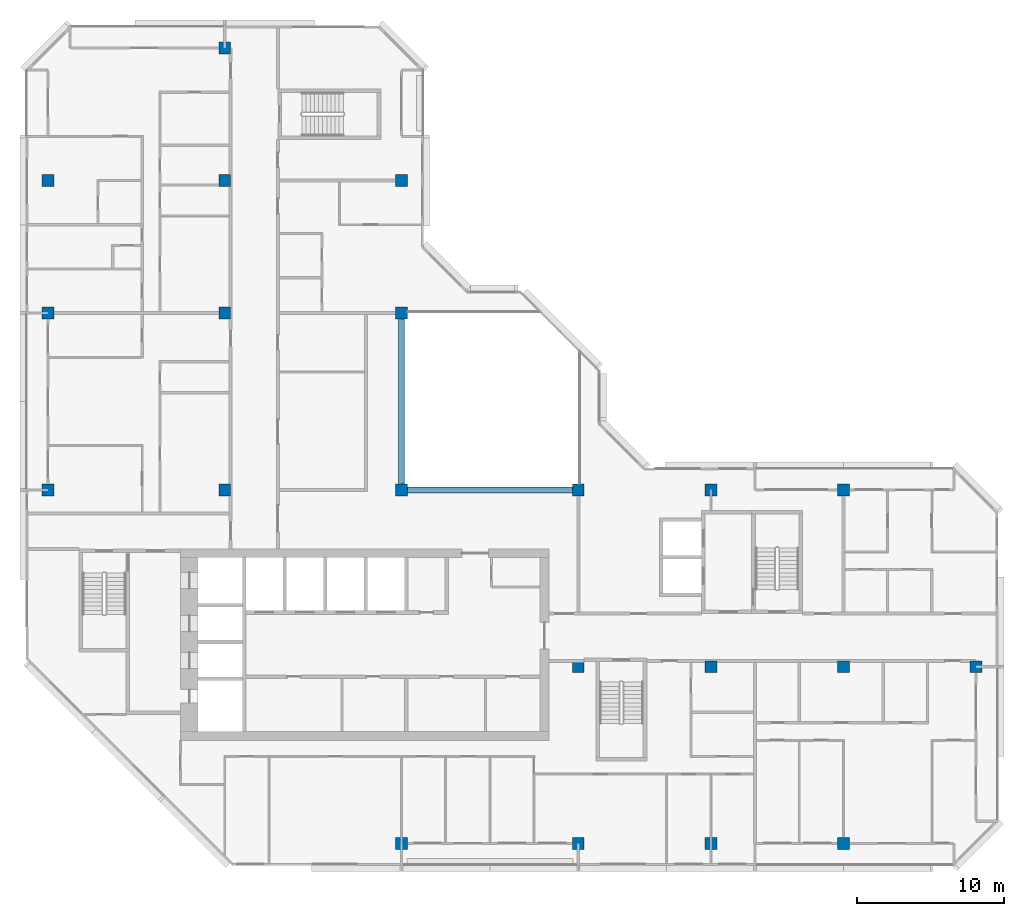
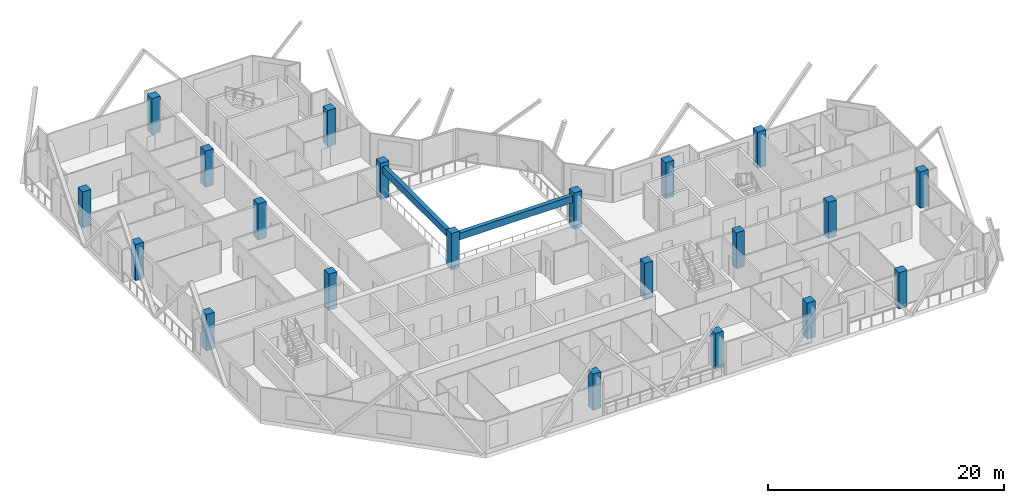
# One storey, part 1 of 13: 21 columns, 2 beams.
"""IFC4 building model written with IfcOpenShell, lengths in metres."""

import ifcopenshell
import ifcopenshell.guid

model = None  # the IFC model being written
_history = None  # IfcOwnerHistory: only IFC2X3 demands one
_inside = {}  # id of a spatial element -> (the spatial element, [elements in it])
_under = {}  # id of a project, library or spatial element -> (it, [spatial elements below it])
_declared = {}  # id of a project -> (the project, [libraries it declares])
_typed = {}  # id of a type object -> (the type object, [elements of that type])
_made_of = {}  # id of a material, layer set ... -> (it, [elements and type objects made of it])


def new_model(schema):
    """Start an empty IFC model of exactly this schema.

    Asked for "IFC4X3", IfcOpenShell would pick the latest addendum, in which some entities
    have other attributes; the version numbers below select the first issue.
    IFC2X3 requires an IfcOwnerHistory on every rooted entity: one is made here for all.
    """
    global model, _history
    if schema == "IFC4X3":
        model = ifcopenshell.file(schema_version=(4, 3, 0, 0))
    else:
        model = ifcopenshell.file(schema=schema)
    _inside.clear()
    _under.clear()
    _declared.clear()
    _typed.clear()
    _made_of.clear()
    _history = None
    if model.schema == "IFC2X3":
        org = make("IfcOrganization", Name="unknown")
        user = make(
            "IfcPersonAndOrganization",
            ThePerson=make("IfcPerson", FamilyName="unknown"),
            TheOrganization=org,
        )
        app = make(
            "IfcApplication",
            ApplicationDeveloper=org,
            Version="unknown",
            ApplicationFullName="unknown",
            ApplicationIdentifier="unknown",
        )
        _history = make(
            "IfcOwnerHistory",
            OwningUser=user,
            OwningApplication=app,
            ChangeAction="ADDED",
            CreationDate=0,
        )
    return model


def make(cls, **values):
    """One entity of the class cls with the attributes given. An attribute that is None is left unset."""
    return model.create_entity(
        cls, **{name: value for name, value in values.items() if value is not None}
    )


def rooted(cls, **values):
    """An entity with a GlobalId (a new one), such as an element, a storey or a relation."""
    return make(cls, GlobalId=ifcopenshell.guid.new(), OwnerHistory=_history, **values)


def si_unit(unit_type, name, prefix=None):
    """IfcSIUnit, for example si_unit("LENGTHUNIT", "METRE", prefix="MILLI")."""
    return make("IfcSIUnit", UnitType=unit_type, Prefix=prefix, Name=name)


def assignment(units):
    """IfcUnitAssignment: the units of a project."""
    return None if units is None else make("IfcUnitAssignment", Units=units)


def point(xyz):
    """IfcCartesianPoint."""
    return None if xyz is None else make("IfcCartesianPoint", Coordinates=xyz)


def direction(xyz):
    """IfcDirection."""
    return None if xyz is None else make("IfcDirection", DirectionRatios=xyz)


def frame(location, z_axis=None, x_axis=None):
    """IfcAxis2Placement3D, a coordinate frame: its origin and axes. An axis left out is left unset."""
    return make(
        "IfcAxis2Placement3D",
        Location=point(location),
        Axis=direction(z_axis),
        RefDirection=direction(x_axis),
    )


def frame_2d(location, x_axis=None):
    """IfcAxis2Placement2D, a coordinate frame in the plane: its origin and x axis."""
    return make(
        "IfcAxis2Placement2D", Location=point(location), RefDirection=direction(x_axis)
    )


def origin():
    """The frame at (0, 0, 0) with its axes left unset."""
    return frame((0.0, 0.0, 0.0))


def origin_2d():
    """The frame at (0, 0) in the plane with its x axis left unset."""
    return frame_2d((0.0, 0.0))


def place(relative_to, where):
    """IfcLocalPlacement: puts the frame where relative to a parent placement (None: the world)."""
    return make(
        "IfcLocalPlacement", PlacementRelTo=relative_to, RelativePlacement=where
    )


def context(
    kind, dimensions, precision=None, world=None, true_north=None, identifier=None
):
    """IfcGeometricRepresentationContext, for example the 3D "Model" context."""
    return make(
        "IfcGeometricRepresentationContext",
        ContextIdentifier=identifier,
        ContextType=kind,
        CoordinateSpaceDimension=dimensions,
        Precision=precision,
        WorldCoordinateSystem=world,
        TrueNorth=true_north,
    )


def subcontext(parent, identifier, kind, view, scale=None):
    """IfcGeometricRepresentationSubContext, for example "Body" below "Model"."""
    return make(
        "IfcGeometricRepresentationSubContext",
        ContextIdentifier=identifier,
        ContextType=kind,
        ParentContext=parent,
        TargetScale=scale,
        TargetView=view,
    )


def project(units=None, contexts=None):
    """IfcProject with its units and contexts."""
    return rooted(
        "IfcProject",
        Name="project",
        RepresentationContexts=contexts,
        UnitsInContext=assignment(units),
    )


def spatial(cls, under=None, at=None, **own):
    """A site, building, storey or space (cls), placed at a placement, below another one or the project."""
    s = rooted(cls, ObjectPlacement=at, **own)
    if under is not None:
        _under.setdefault(under.id(), (under, []))[1].append(s)
    return s


def profile(cls, at=None, kind="AREA", **sizes):
    """A parametric profile (cls). Its sizes go by their IFC names, for example OverallWidth=200.0."""
    return make(cls, ProfileType=kind, Position=at, **sizes)


def rectangle(**sizes):
    """IfcRectangleProfileDef."""
    return profile("IfcRectangleProfileDef", **sizes)


def extrude(swept, where, along, depth):
    """IfcExtrudedAreaSolid: the profile swept, set in the frame where, extruded along a direction by depth."""
    return make(
        "IfcExtrudedAreaSolid",
        SweptArea=swept,
        Position=where,
        ExtrudedDirection=direction(along),
        Depth=depth,
    )


def shape(context_of_items, identifier, shape_type, items):
    """IfcShapeRepresentation: the items that make up one representation, for example the "Body"."""
    return make(
        "IfcShapeRepresentation",
        ContextOfItems=context_of_items,
        RepresentationIdentifier=identifier,
        RepresentationType=shape_type,
        Items=items,
    )


def material(Name=None, Category=None):
    """IfcMaterial."""
    return make("IfcMaterial", Name=Name, Category=Category)


def material_profile(
    of_material, cross_section, Name=None, Category=None, Priority=None
):
    """IfcMaterialProfile: a cross section and its material."""
    return make(
        "IfcMaterialProfile",
        Name=Name,
        Material=of_material,
        Profile=cross_section,
        Priority=Priority,
        Category=Category,
    )


def profile_set(profiles, Name=None, composite=None):
    """IfcMaterialProfileSet."""
    return make(
        "IfcMaterialProfileSet",
        Name=Name,
        MaterialProfiles=profiles,
        CompositeProfile=composite,
    )


def made_of(thing, what):
    """Note that an element or type object is made of a material, layer set ...; save() writes the relation."""
    if what is not None:
        _made_of.setdefault(what.id(), (what, []))[1].append(thing)
    return thing


def type_object(cls, material=None, **own):
    """A type object (cls), such as IfcWallType, which elements share."""
    return made_of(rooted(cls, **own), material)


def element(
    cls,
    number,
    at=None,
    inside=None,
    cuts=None,
    type_object=None,
    material=None,
    context=None,
    identifier="Body",
    shape_type=None,
    held_by="IfcProductDefinitionShape",
    body=None,
    shapes=None,
    **own,
):
    """One element of the class cls, such as IfcWall. Its Tag is "e" and its number.

    at: its placement. inside: the storey or other place that contains it. cuts: it is an
    opening in that element (IfcRelVoidsElement). A single representation is given by context,
    identifier, shape_type and body (its items); several are given by shapes. held_by: the class
    of the entity that holds the representations. save() writes the other relations.
    """
    e = rooted(cls, Tag="e%d" % number, ObjectPlacement=at, **own)
    if body is not None:
        shapes = [shape(context, identifier, shape_type, body)]
    if shapes is not None:
        e.Representation = make(held_by, Representations=shapes)
    if inside is not None:
        _inside.setdefault(inside.id(), (inside, []))[1].append(e)
    if cuts is not None:
        rooted(
            "IfcRelVoidsElement", RelatingBuildingElement=cuts, RelatedOpeningElement=e
        )
    if type_object is not None:
        _typed.setdefault(type_object.id(), (type_object, []))[1].append(e)
    return made_of(e, material)


def aggregate(whole, parts):
    """IfcRelAggregates: a whole, such as a stair, and the parts it consists of."""
    return rooted("IfcRelAggregates", RelatingObject=whole, RelatedObjects=parts)


def save(model, path):
    """Write the relations noted so far, then the file.

    IfcRelAggregates (storeys below a building ...), IfcRelContainedInSpatialStructure (elements
    in a storey), IfcRelDefinesByType, IfcRelAssociatesMaterial and IfcRelDeclares: one each for
    every whole, place, type object, material and project.
    """
    for whole, parts in _under.values():
        aggregate(whole, parts)
    for where, things in _inside.values():
        rooted(
            "IfcRelContainedInSpatialStructure",
            RelatedElements=things,
            RelatingStructure=where,
        )
    for kind, things in _typed.values():
        rooted("IfcRelDefinesByType", RelatedObjects=things, RelatingType=kind)
    for what, things in _made_of.values():
        rooted("IfcRelAssociatesMaterial", RelatedObjects=things, RelatingMaterial=what)
    for by, libraries in _declared.values():
        rooted("IfcRelDeclares", RelatingContext=by, RelatedDefinitions=libraries)
    model.write(path)


model = new_model("IFC4")

# Units and contexts
model_context = context("Model", 3, precision=1e-05, world=origin(), true_north=direction((0.0, 1.0)))
body_context = subcontext(model_context, "Body", "Model", "MODEL_VIEW")
ifc_project = project(units=[si_unit("LENGTHUNIT", "METRE"), si_unit("AREAUNIT", "SQUARE_METRE"), si_unit("VOLUMEUNIT", "CUBIC_METRE"), si_unit("PLANEANGLEUNIT", "RADIAN"), si_unit("MASSUNIT", "GRAM", prefix="KILO")], contexts=[model_context])

# Site, building, storey
site_placement = place(None, origin())
site = spatial("IfcSite", under=ifc_project, at=site_placement, CompositionType="ELEMENT")
building_placement = place(site_placement, origin())
building = spatial("IfcBuilding", under=site, at=building_placement, Name="Chenar Terraces", CompositionType="ELEMENT")
storey_placement = place(building_placement, frame((0.0, 0.0, 288.39990234375)))
storey = spatial("IfcBuildingStorey", under=building, at=storey_placement, Name="L67", CompositionType="ELEMENT", Elevation=288.39990234375)

# Columns
ifc_material_1 = material(Name="Concrete C50/60", Category="concrete")
ifc_material_profile_1 = material_profile(ifc_material_1, rectangle(XDim=0.800048828125, YDim=0.800048828125, at=origin_2d()), Name="C 800 x 800")
ifc_profile_set_1 = profile_set([ifc_material_profile_1], Name="Concrete C50/60")
column_type = type_object("IfcColumnType", Name="Column C 800 x 800 Concrete C50/60", PredefinedType="COLUMN", material=ifc_profile_set_1)
column_1_placement = place(storey_placement, frame((0.0, 24.0, 0.0), z_axis=(0.0, 0.0, 1.0), x_axis=(1.0, 0.0, 0.0)))
element("IfcColumn", 1, at=column_1_placement, inside=storey, type_object=column_type, Name="Column 5/G L67", PredefinedType="COLUMN", context=body_context, shape_type="SweptSolid", body=[
    extrude(rectangle(XDim=0.800048828125, YDim=0.800048828125, at=origin_2d()), origin(), (0.0, 0.0, 1.0), 3.75),
])
column_2_placement = place(storey_placement, frame((0.0, 36.0, 0.0), z_axis=(0.0, 0.0, 1.0), x_axis=(1.0, 0.0, 0.0)))
element("IfcColumn", 2, at=column_2_placement, inside=storey, type_object=column_type, Name="Column 5/H L67", PredefinedType="COLUMN", context=body_context, shape_type="SweptSolid", body=[
    extrude(rectangle(XDim=0.800048828125, YDim=0.800048828125, at=origin_2d()), origin(), (0.0, 0.0, 1.0), 3.75),
])
for number, where, z_axis, x_axis, name in (
    (3, (0.0, 45.0, 0.0), (0.0, 0.0, 1.0), (1.0, 0.0, 0.0), "Column 5/J L67"),
    (4, (12.0, 24.0, 0.0), (0.0, 0.0, 1.0), (1.0, 0.0, 0.0), "Column 6/G L67"),
    (5, (12.0, 36.0, 0.0), (0.0, 0.0, 1.0), (1.0, 0.0, 0.0), "Column 6/H L67"),
    (6, (12.0, 45.0, 0.0), (0.0, 0.0, 1.0), (1.0, 0.0, 0.0), "Column 6/J L67"),
    (7, (12.0, 54.0, 0.0), (0.0, 0.0, 1.0), (1.0, 0.0, 0.0), "Column 6/K L67"),
    (8, (24.0, 0.0, 0.0), (0.0, 0.0, 1.0), (1.0, 0.0, 0.0), "Column 7/E L67"),
    (9, (24.0, 24.0, 0.0), (0.0, 0.0, 1.0), (1.0, 0.0, 0.0), "Column 7/G L67"),
    (10, (24.0, 36.0, 0.0), (0.0, 0.0, 1.0), (1.0, 0.0, 0.0), "Column 7/H L67"),
    (11, (24.0, 45.0, 0.0), (0.0, 0.0, 1.0), (1.0, 0.0, 0.0), "Column 7/J L67"),
    (12, (36.0, 0.0, 0.0), (0.0, 0.0, 1.0), (1.0, 0.0, 0.0), "Column 8/E L67"),
    (13, (36.0, 12.0, 0.0), (0.0, 0.0, 1.0), (1.0, 0.0, 0.0), "Column 8/F L67"),
    (14, (36.0, 24.0, 0.0), (0.0, 0.0, 1.0), (1.0, 0.0, 0.0), "Column 8/G L67"),
    (15, (45.0, 0.0, 0.0), (0.0, 0.0, 1.0), (1.0, 0.0, 0.0), "Column 9/E L67"),
    (16, (45.0, 12.0, 0.0), (0.0, 0.0, 1.0), (1.0, 0.0, 0.0), "Column 9/F L67"),
    (17, (45.0, 24.0, 0.0), (0.0, 0.0, 1.0), (1.0, 0.0, 0.0), "Column 9/G L67"),
    (18, (54.0, 0.0, 0.0), (0.0, 0.0, 1.0), (1.0, 0.0, 0.0), "Column 10/E L67"),
    (19, (54.0, 12.0, 0.0), (0.0, 0.0, 1.0), (1.0, 0.0, 0.0), "Column 10/F L67"),
    (20, (54.0, 24.0, 0.0), (0.0, 0.0, 1.0), (1.0, 0.0, 0.0), "Column 10/G L67"),
    (21, (63.0, 12.0, 0.0), (0.0, 0.0, 1.0), (1.0, 0.0, 0.0), "Column 11/F L67"),
):
    element("IfcColumn", number, at=place(storey_placement, frame(where, z_axis=z_axis, x_axis=x_axis)), inside=storey, type_object=column_type, Name=name, PredefinedType="COLUMN", context=body_context, shape_type="SweptSolid", body=[
        extrude(rectangle(XDim=0.800048828125, YDim=0.800048828125, at=origin_2d()), origin(), (0.0, 0.0, 1.0), 3.75),
    ])

# Beams
ifc_material_2 = material(Name="Concrete C40/50", Category="concrete")
ifc_material_profile_2 = material_profile(ifc_material_2, rectangle(XDim=0.39990234375, YDim=0.699951171875, at=origin_2d()), Name="RC 400 x 700")
ifc_profile_set_2 = profile_set([ifc_material_profile_2], Name="Concrete C40/50")
beam_type = type_object("IfcBeamType", Name="Atrium edge beam 400 x 700 Concrete C40/50", PredefinedType="BEAM", material=ifc_profile_set_2)
for number, where, z_axis, x_axis, name in (
    (22, (24.39990234375, 24.0, 3.0), (1.0, 0.0, 0.0), (0.0, 1.0, 0.0), "Atrium edge beam L68 1"),
    (23, (24.0, 35.60009765625, 3.0), (0.0, -1.0, 0.0), (1.0, 0.0, 0.0), "Atrium edge beam L68 4"),
):
    element("IfcBeam", number, at=place(storey_placement, frame(where, z_axis=z_axis, x_axis=x_axis)), inside=storey, type_object=beam_type, Name=name, PredefinedType="BEAM", context=body_context, shape_type="SweptSolid", body=[
        extrude(rectangle(XDim=0.39990234375, YDim=0.699951171875, at=origin_2d()), origin(), (0.0, 0.0, 1.0), 11.2001953125),
    ])

save(model, "model.ifc")
